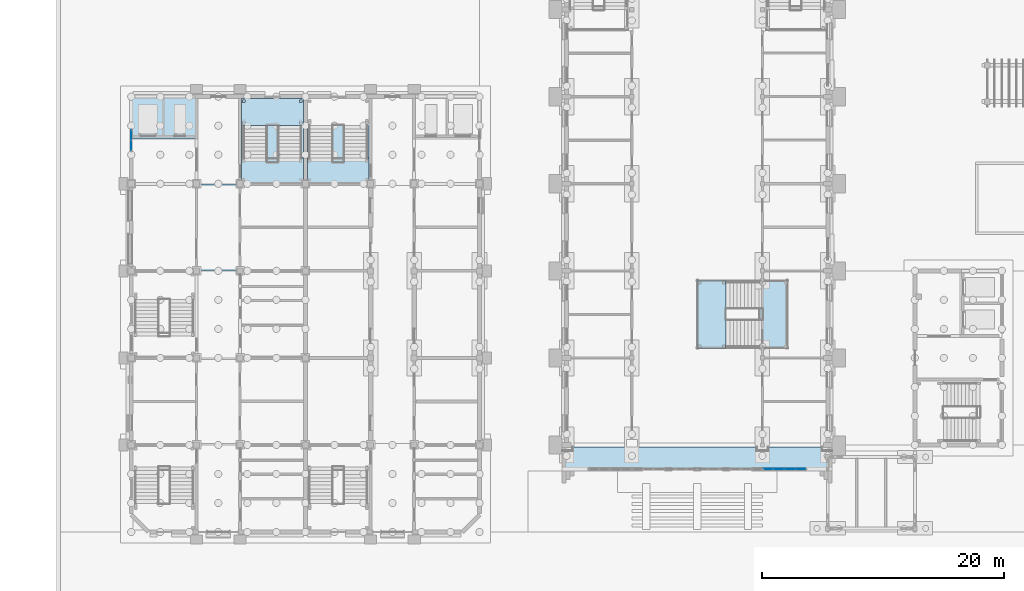
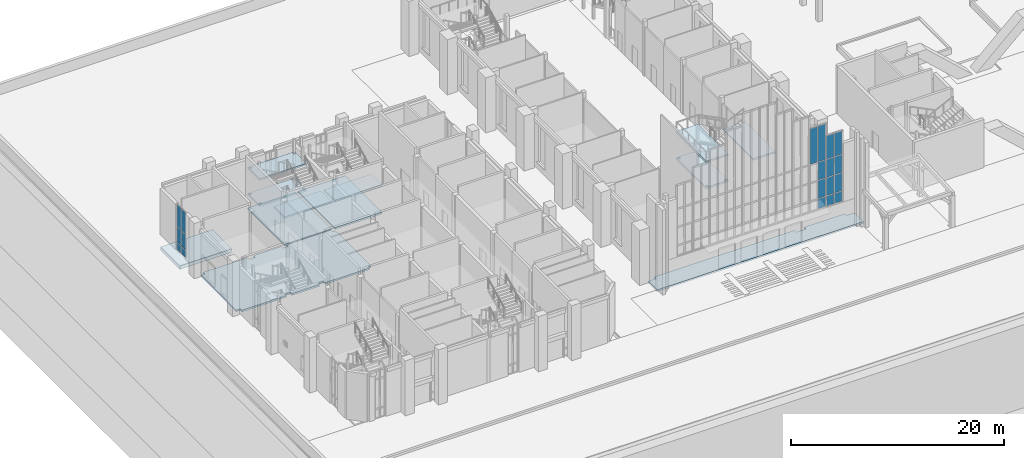
# One storey, part 23 of 84: 19 plates, 12 slabs, 6 elements without a shape of their own.
"""IFC4 building model written with IfcOpenShell, lengths in metres."""

from ifc_helpers import new_model, si_unit, direction, frame, origin, origin_2d, place, context, subcontext, project, spatial, polyline, rectangle, outline, extrude, material, layer, layer_set, type_object, element, aggregate, save


model = new_model("IFC4")

# Units and contexts
model_context = context("Model", 3, precision=1e-05, world=origin(), true_north=direction((0.0, 1.0)))
body_context = subcontext(model_context, "Body", "Model", "MODEL_VIEW")
ifc_project = project(units=[si_unit("LENGTHUNIT", "METRE"), si_unit("AREAUNIT", "SQUARE_METRE"), si_unit("VOLUMEUNIT", "CUBIC_METRE"), si_unit("PLANEANGLEUNIT", "RADIAN"), si_unit("MASSUNIT", "GRAM", prefix="KILO")], contexts=[model_context])

# Site, building, storey
site_placement = place(None, origin())
site = spatial("IfcSite", under=ifc_project, at=site_placement, CompositionType="ELEMENT")
building_placement = place(site_placement, origin())
building = spatial("IfcBuilding", under=site, at=building_placement, Name="Mazhai Court Health Centre", CompositionType="ELEMENT")
storey_placement = place(building_placement, origin())
storey = spatial("IfcBuildingStorey", under=building, at=storey_placement, Name="L00", CompositionType="ELEMENT", Elevation=0.0)

# Curtain wall, plates
ifc_material_1 = material(Name="Teak timber frame, glazed", Category="wood")
ifc_layer_1 = layer(ifc_material_1, 0.10009765625)
ifc_layer_set_1 = layer_set([ifc_layer_1], Name="CURTAIN WALL TIMBER 900")
curtain_wall_type = type_object("IfcCurtainWallType", Name="CURTAIN WALL TIMBER 900", PredefinedType="NOTDEFINED", material=ifc_layer_set_1)
curtain_wall_1_placement = place(storey_placement, origin())
curtain_wall_1 = element("IfcCurtainWall", 1, at=curtain_wall_1_placement, inside=storey, type_object=curtain_wall_type, Name="CW-V2-L00-A4", PredefinedType="NOTDEFINED")
ifc_material_2 = material(Name="Glass IGU 28 mm", Category="glass")
ifc_layer_2 = layer(ifc_material_2, 0.028076171875)
ifc_layer_set_2 = layer_set([ifc_layer_2], Name="CW PANEL IGU 28")
plate_type_1 = type_object("IfcPlateType", Name="CW PANEL IGU 28", PredefinedType="CURTAIN_PANEL", material=ifc_layer_set_2)
plate_1_placement = place(storey_placement, frame((6.199951171875, 38.1650390625, 0.06005859375), z_axis=(0.0, 0.0, 1.0), x_axis=(0.0, 1.0, 0.0)))
plate_1 = element("IfcPlate", 2, at=plate_1_placement, type_object=plate_type_1, Name="CW panel 1.1", PredefinedType="CURTAIN_PANEL", context=body_context, shape_type="SweptSolid", body=[
    extrude(rectangle(XDim=0.81005859375, YDim=0.028076171875, at=origin_2d()), origin(), (0.0, 0.0, 1.0), 0.81005859375),
])
plate_2_placement = place(storey_placement, frame((6.199951171875, 38.1650390625, 0.93017578125), z_axis=(0.0, 0.0, 1.0), x_axis=(0.0, 1.0, 0.0)))
plate_2 = element("IfcPlate", 3, at=plate_2_placement, type_object=plate_type_1, Name="CW panel 1.2", PredefinedType="CURTAIN_PANEL", context=body_context, shape_type="SweptSolid", body=[
    extrude(rectangle(XDim=0.81005859375, YDim=0.028076171875, at=origin_2d()), origin(), (0.0, 0.0, 1.0), 1.739990234375),
])
plate_3_placement = place(storey_placement, frame((6.199951171875, 38.1650390625, 2.72998046875), z_axis=(0.0, 0.0, 1.0), x_axis=(0.0, 1.0, 0.0)))
plate_3 = element("IfcPlate", 4, at=plate_3_placement, type_object=plate_type_1, Name="CW panel 1.3", PredefinedType="CURTAIN_PANEL", context=body_context, shape_type="SweptSolid", body=[
    extrude(rectangle(XDim=0.81005859375, YDim=0.028076171875, at=origin_2d()), origin(), (0.0, 0.0, 1.0), 2.4599609375),
])
plate_4_placement = place(storey_placement, frame((6.199951171875, 39.034912109375, 0.06005859375), z_axis=(0.0, 0.0, 1.0), x_axis=(0.0, 1.0, 0.0)))
plate_4 = element("IfcPlate", 5, at=plate_4_placement, type_object=plate_type_1, Name="CW panel 2.1", PredefinedType="CURTAIN_PANEL", context=body_context, shape_type="SweptSolid", body=[
    extrude(rectangle(XDim=0.81005859375, YDim=0.028076171875, at=origin_2d()), origin(), (0.0, 0.0, 1.0), 0.81005859375),
])
plate_5_placement = place(storey_placement, frame((6.199951171875, 39.034912109375, 0.93017578125), z_axis=(0.0, 0.0, 1.0), x_axis=(0.0, 1.0, 0.0)))
plate_5 = element("IfcPlate", 6, at=plate_5_placement, type_object=plate_type_1, Name="CW panel 2.2", PredefinedType="CURTAIN_PANEL", context=body_context, shape_type="SweptSolid", body=[
    extrude(rectangle(XDim=0.81005859375, YDim=0.028076171875, at=origin_2d()), origin(), (0.0, 0.0, 1.0), 1.739990234375),
])
plate_6_placement = place(storey_placement, frame((6.199951171875, 39.034912109375, 2.72998046875), z_axis=(0.0, 0.0, 1.0), x_axis=(0.0, 1.0, 0.0)))
plate_6 = element("IfcPlate", 7, at=plate_6_placement, type_object=plate_type_1, Name="CW panel 2.3", PredefinedType="CURTAIN_PANEL", context=body_context, shape_type="SweptSolid", body=[
    extrude(rectangle(XDim=0.81005859375, YDim=0.028076171875, at=origin_2d()), origin(), (0.0, 0.0, 1.0), 2.4599609375),
])
aggregate(curtain_wall_1, [plate_1, plate_2, plate_3, plate_4, plate_5, plate_6])

curtain_wall_2_placement = place(storey_placement, origin())
curtain_wall_2 = element("IfcCurtainWall", 8, at=curtain_wall_2_placement, inside=storey, type_object=curtain_wall_type, Name="CW-V1-S09", PredefinedType="NOTDEFINED")
plate_7_placement = place(storey_placement, frame((59.735107421875, 11.39990234375, 4.22998046875), z_axis=(0.0, 0.0, 1.0), x_axis=(-1.0, 0.0, 0.0)))
plate_7 = element("IfcPlate", 9, at=plate_7_placement, type_object=plate_type_1, Name="CW panel 1.2", PredefinedType="CURTAIN_PANEL", context=body_context, shape_type="SweptSolid", body=[
    extrude(rectangle(XDim=0.81005859375, YDim=0.028076171875, at=origin_2d()), origin(), (0.0, 0.0, 1.0), 2.0400390625),
])
plate_8_placement = place(storey_placement, frame((59.735107421875, 11.39990234375, 6.330078125), z_axis=(0.0, 0.0, 1.0), x_axis=(-1.0, 0.0, 0.0)))
plate_8 = element("IfcPlate", 10, at=plate_8_placement, type_object=plate_type_1, Name="CW panel 1.3", PredefinedType="CURTAIN_PANEL", context=body_context, shape_type="SweptSolid", body=[
    extrude(rectangle(XDim=0.81005859375, YDim=0.028076171875, at=origin_2d()), origin(), (0.0, 0.0, 1.0), 2.0400390625),
])
plate_9_placement = place(storey_placement, frame((59.735107421875, 11.39990234375, 8.43017578125), z_axis=(0.0, 0.0, 1.0), x_axis=(-1.0, 0.0, 0.0)))
plate_9 = element("IfcPlate", 11, at=plate_9_placement, type_object=plate_type_1, Name="CW panel 1.4", PredefinedType="CURTAIN_PANEL", context=body_context, shape_type="SweptSolid", body=[
    extrude(rectangle(XDim=0.81005859375, YDim=0.028076171875, at=origin_2d()), origin(), (0.0, 0.0, 1.0), 4.076904296875),
])
plate_10_placement = place(storey_placement, frame((58.864990234375, 11.39990234375, 8.43017578125), z_axis=(0.0, 0.0, 1.0), x_axis=(-1.0, 0.0, 0.0)))
plate_10 = element("IfcPlate", 12, at=plate_10_placement, type_object=plate_type_1, Name="CW panel 2.4", PredefinedType="CURTAIN_PANEL", context=body_context, shape_type="SweptSolid", body=[
    extrude(rectangle(XDim=0.81005859375, YDim=0.028076171875, at=origin_2d()), origin(), (0.0, 0.0, 1.0), 4.076904296875),
])

curtain_wall_3_placement = place(storey_placement, origin())
curtain_wall_3 = element("IfcCurtainWall", 13, at=curtain_wall_3_placement, inside=storey, type_object=curtain_wall_type, Name="CW-V1-S10", PredefinedType="NOTDEFINED")
plate_11_placement = place(storey_placement, frame((61.534912109375, 11.39990234375, 4.22998046875), z_axis=(0.0, 0.0, 1.0), x_axis=(-1.0, 0.0, 0.0)))
plate_11 = element("IfcPlate", 14, at=plate_11_placement, type_object=plate_type_1, Name="CW panel 1.2", PredefinedType="CURTAIN_PANEL", context=body_context, shape_type="SweptSolid", body=[
    extrude(rectangle(XDim=0.81005859375, YDim=0.028076171875, at=origin_2d()), origin(), (0.0, 0.0, 1.0), 2.0400390625),
])
plate_12_placement = place(storey_placement, frame((61.534912109375, 11.39990234375, 6.330078125), z_axis=(0.0, 0.0, 1.0), x_axis=(-1.0, 0.0, 0.0)))
plate_12 = element("IfcPlate", 15, at=plate_12_placement, type_object=plate_type_1, Name="CW panel 1.3", PredefinedType="CURTAIN_PANEL", context=body_context, shape_type="SweptSolid", body=[
    extrude(rectangle(XDim=0.81005859375, YDim=0.028076171875, at=origin_2d()), origin(), (0.0, 0.0, 1.0), 2.0400390625),
])
plate_13_placement = place(storey_placement, frame((61.534912109375, 11.39990234375, 8.429931640625), z_axis=(0.0, 0.0, 1.0), x_axis=(-1.0, 0.0, 0.0)))
plate_13 = element("IfcPlate", 16, at=plate_13_placement, type_object=plate_type_1, Name="CW panel 1.4", PredefinedType="CURTAIN_PANEL", context=body_context, shape_type="SweptSolid", body=[
    extrude(rectangle(XDim=0.81005859375, YDim=0.028076171875, at=origin_2d()), origin(), (0.0, 0.0, 1.0), 2.64306640625),
])
plate_14_placement = place(storey_placement, frame((60.6650390625, 11.39990234375, 4.22998046875), z_axis=(0.0, 0.0, 1.0), x_axis=(-1.0, 0.0, 0.0)))
plate_14 = element("IfcPlate", 17, at=plate_14_placement, type_object=plate_type_1, Name="CW panel 2.2", PredefinedType="CURTAIN_PANEL", context=body_context, shape_type="SweptSolid", body=[
    extrude(rectangle(XDim=0.81005859375, YDim=0.028076171875, at=origin_2d()), origin(), (0.0, 0.0, 1.0), 2.0400390625),
])
plate_15_placement = place(storey_placement, frame((60.6650390625, 11.39990234375, 6.330078125), z_axis=(0.0, 0.0, 1.0), x_axis=(-1.0, 0.0, 0.0)))
plate_15 = element("IfcPlate", 18, at=plate_15_placement, type_object=plate_type_1, Name="CW panel 2.3", PredefinedType="CURTAIN_PANEL", context=body_context, shape_type="SweptSolid", body=[
    extrude(rectangle(XDim=0.81005859375, YDim=0.028076171875, at=origin_2d()), origin(), (0.0, 0.0, 1.0), 2.0400390625),
])
plate_16_placement = place(storey_placement, frame((60.6650390625, 11.39990234375, 8.429931640625), z_axis=(0.0, 0.0, 1.0), x_axis=(-1.0, 0.0, 0.0)))
plate_16 = element("IfcPlate", 19, at=plate_16_placement, type_object=plate_type_1, Name="CW panel 2.4", PredefinedType="CURTAIN_PANEL", context=body_context, shape_type="SweptSolid", body=[
    extrude(rectangle(XDim=0.81005859375, YDim=0.028076171875, at=origin_2d()), origin(), (0.0, 0.0, 1.0), 2.64306640625),
])

# Plate
ifc_material_3 = material(Name="Insulated spandrel panel", Category="other")
ifc_layer_3 = layer(ifc_material_3, 0.028076171875)
ifc_layer_set_3 = layer_set([ifc_layer_3], Name="CW PANEL SPANDREL 28")
plate_type_2 = type_object("IfcPlateType", Name="CW PANEL SPANDREL 28", PredefinedType="CURTAIN_PANEL", material=ifc_layer_set_3)
plate_17_placement = place(storey_placement, frame((59.735107421875, 11.39990234375, 3.06005859375), z_axis=(0.0, 0.0, 1.0), x_axis=(-1.0, 0.0, 0.0)))
plate_17 = element("IfcPlate", 20, at=plate_17_placement, type_object=plate_type_2, Name="CW panel 1.1", PredefinedType="CURTAIN_PANEL", context=body_context, shape_type="SweptSolid", body=[
    extrude(rectangle(XDim=0.81005859375, YDim=0.028076171875, at=origin_2d()), origin(), (0.0, 0.0, 1.0), 1.110107421875),
])

aggregate(curtain_wall_2, [plate_17, plate_7, plate_8, plate_9, plate_10])

plate_18_placement = place(storey_placement, frame((61.534912109375, 11.39990234375, 3.06005859375), z_axis=(0.0, 0.0, 1.0), x_axis=(-1.0, 0.0, 0.0)))
plate_18 = element("IfcPlate", 21, at=plate_18_placement, type_object=plate_type_2, Name="CW panel 1.1", PredefinedType="CURTAIN_PANEL", context=body_context, shape_type="SweptSolid", body=[
    extrude(rectangle(XDim=0.81005859375, YDim=0.028076171875, at=origin_2d()), origin(), (0.0, 0.0, 1.0), 1.110107421875),
])

plate_19_placement = place(storey_placement, frame((60.6650390625, 11.39990234375, 3.06005859375), z_axis=(0.0, 0.0, 1.0), x_axis=(-1.0, 0.0, 0.0)))
plate_19 = element("IfcPlate", 22, at=plate_19_placement, type_object=plate_type_2, Name="CW panel 2.1", PredefinedType="CURTAIN_PANEL", context=body_context, shape_type="SweptSolid", body=[
    extrude(rectangle(XDim=0.81005859375, YDim=0.028076171875, at=origin_2d()), origin(), (0.0, 0.0, 1.0), 1.110107421875),
])

aggregate(curtain_wall_3, [plate_18, plate_11, plate_12, plate_13, plate_19, plate_14, plate_15, plate_16])

# Slabs
ifc_material_4 = material(Name="Concrete M35", Category="concrete")
ifc_layer_4 = layer(ifc_material_4, 0.199951171875)
ifc_layer_set_4 = layer_set([ifc_layer_4], Name="GROUND SLAB 200 M35")
slab_type_1 = type_object("IfcSlabType", Name="GROUND SLAB 200 M35", PredefinedType="BASESLAB", material=ifc_layer_set_4)
slab_1_placement = place(storey_placement, frame((0.0, 0.0, -0.199951171875)))
element("IfcSlab", 23, at=slab_1_placement, inside=storey, type_object=slab_type_1, Name="slab-ground-V2-2", PredefinedType="BASESLAB", context=body_context, shape_type="SweptSolid", body=[
    extrude(outline(polyline([(20.60009765625, 28.10009765625), (20.300048828125, 28.10009765625), (20.300048828125, 27.800048828125), (15.5, 27.800048828125), (15.5, 28.10009765625), (14.89990234375, 28.10009765625), (14.89990234375, 27.800048828125), (11.89990234375, 27.800048828125), (11.89990234375, 28.10009765625), (11.300048828125, 28.10009765625), (11.300048828125, 27.800048828125), (6.5, 27.800048828125), (6.5, 28.10009765625), (6.034912109375, 28.10009765625), (6.034912109375, 34.699951171875), (6.5, 34.699951171875), (6.5, 35.0), (11.300048828125, 35.0), (11.300048828125, 34.699951171875), (11.89990234375, 34.699951171875), (11.89990234375, 35.0), (14.89990234375, 35.0), (14.89990234375, 34.699951171875), (15.5, 34.699951171875), (15.5, 35.0), (20.300048828125, 35.0), (20.300048828125, 34.699951171875), (20.60009765625, 34.699951171875), (20.60009765625, 28.10009765625)])), origin(), (0.0, 0.0, 1.0), 0.199951171875),
])
slab_2_placement = place(storey_placement, frame((0.0, 0.0, -0.199951171875)))
element("IfcSlab", 24, at=slab_2_placement, inside=storey, type_object=slab_type_1, Name="slab-ground-V1P-1", PredefinedType="BASESLAB", context=body_context, shape_type="SweptSolid", body=[
    extrude(outline(polyline([(41.840087890625, 11.235107421875), (41.840087890625, 12.89990234375), (42.699951171875, 12.89990234375), (42.699951171875, 13.235107421875), (57.89990234375, 13.235107421875), (57.89990234375, 12.89990234375), (58.89990234375, 12.89990234375), (58.89990234375, 13.235107421875), (63.300048828125, 13.235107421875), (63.300048828125, 12.89990234375), (64.159912109375, 12.89990234375), (64.159912109375, 11.235107421875), (41.840087890625, 11.235107421875)])), origin(), (0.0, 0.0, 1.0), 0.199951171875),
])
ifc_material_5 = material(Name="Concrete M40", Category="concrete")
ifc_layer_5 = layer(ifc_material_5, 0.39990234375)
ifc_layer_set_5 = layer_set([ifc_layer_5], Name="RC LIFT PIT SLAB 400 M40")
slab_type_2 = type_object("IfcSlabType", Name="RC LIFT PIT SLAB 400 M40", PredefinedType="BASESLAB", material=ifc_layer_set_5)
slab_3_placement = place(storey_placement, frame((0.0, 0.0, -1.800048828125)))
element("IfcSlab", 25, at=slab_3_placement, inside=storey, type_object=slab_type_2, Name="core-C3-pit-slab", PredefinedType="BASESLAB", context=body_context, shape_type="SweptSolid", body=[
    extrude(outline(polyline([(6.074951171875, 38.7099609375), (6.074951171875, 42.324951171875), (11.72509765625, 42.324951171875), (11.72509765625, 38.7099609375), (6.074951171875, 38.7099609375)])), origin(), (0.0, 0.0, 1.0), 0.400146484375),
])
ifc_material_6 = material(Name="Concrete M40", Category="concrete")
ifc_layer_6 = layer(ifc_material_6, 0.199951171875)
ifc_layer_set_6 = layer_set([ifc_layer_6], Name="RC STAIR GROUND SLAB 200 M40")
slab_type_3 = type_object("IfcSlabType", Name="RC STAIR GROUND SLAB 200 M40", PredefinedType="BASESLAB", material=ifc_layer_set_6)
slab_4_placement = place(storey_placement, frame((0.0, 0.0, -0.199951171875)))
element("IfcSlab", 26, at=slab_4_placement, inside=storey, type_object=slab_type_3, Name="core-C3-stair-ground-slab", PredefinedType="BASESLAB", context=body_context, shape_type="SweptSolid", body=[
    extrude(outline(polyline([(15.324951171875, 35.125), (20.43505859375, 35.125), (20.43505859375, 42.034912109375), (15.324951171875, 42.034912109375), (15.324951171875, 35.125)])), origin(), (0.0, 0.0, 1.0), 0.199951171875),
])
slab_5_placement = place(storey_placement, frame((0.0, 0.0, -0.199951171875)))
element("IfcSlab", 27, at=slab_5_placement, inside=storey, type_object=slab_type_3, Name="core-C5-stair-ground-slab", PredefinedType="BASESLAB", context=body_context, shape_type="SweptSolid", body=[
    extrude(outline(polyline([(20.764892578125, 35.125), (25.875, 35.125), (25.875, 42.034912109375), (20.764892578125, 42.034912109375), (20.764892578125, 35.125)])), origin(), (0.0, 0.0, 1.0), 0.199951171875),
])

# Stair, slabs
ifc_material_7 = material(Name="Concrete M40", Category="concrete")
stair_type_1 = type_object("IfcStairType", Name="RC STAIR 2000 42R", PredefinedType="DOUBLE_RETURN_STAIR", material=ifc_material_7)
stair_1_placement = place(storey_placement, origin())
stair_1 = element("IfcStair", 28, at=stair_1_placement, inside=storey, type_object=stair_type_1, Name="L00 Stair 3", PredefinedType="DOUBLE_RETURN_STAIR")
ifc_material_8 = material(Name="Concrete M40", Category="concrete")
ifc_layer_7 = layer(ifc_material_8, 0.199951171875)
ifc_layer_set_7 = layer_set([ifc_layer_7], Name="RC STAIR LANDING 200 M40")
slab_type_4 = type_object("IfcSlabType", Name="RC STAIR LANDING 200 M40", PredefinedType="LANDING", material=ifc_layer_set_7)
slab_6_placement = place(storey_placement, frame((0.0, 0.0, 1.449951171875)))
slab_6 = element("IfcSlab", 29, at=slab_6_placement, type_object=slab_type_4, Name="ST3 landing 1", PredefinedType="LANDING", context=body_context, shape_type="SweptSolid", body=[
    extrude(outline(polyline([(20.43505859375, 39.824951171875), (20.43505859375, 42.034912109375), (15.324951171875, 42.034912109375), (15.324951171875, 39.824951171875), (20.43505859375, 39.824951171875)]), holes=[polyline([(15.4150390625, 39.925048828125), (15.625, 39.925048828125), (15.625, 40.135009765625), (15.4150390625, 40.135009765625), (15.4150390625, 39.925048828125)]), polyline([(15.4150390625, 41.72509765625), (15.625, 41.72509765625), (15.625, 41.93505859375), (15.4150390625, 41.93505859375), (15.4150390625, 41.72509765625)]), polyline([(20.125, 39.925048828125), (20.3349609375, 39.925048828125), (20.3349609375, 40.135009765625), (20.125, 40.135009765625), (20.125, 39.925048828125)]), polyline([(20.125, 41.72509765625), (20.3349609375, 41.72509765625), (20.3349609375, 41.93505859375), (20.125, 41.93505859375), (20.125, 41.72509765625)])]), origin(), (0.0, 0.0, 1.0), 0.199951171875),
])
slab_7_placement = place(storey_placement, frame((0.0, 0.0, 2.949951171875)))
slab_7 = element("IfcSlab", 30, at=slab_7_placement, type_object=slab_type_4, Name="ST3 landing 2", PredefinedType="LANDING", context=body_context, shape_type="SweptSolid", body=[
    extrude(outline(polyline([(20.43505859375, 35.125), (20.43505859375, 37.125), (15.324951171875, 37.125), (15.324951171875, 35.125), (20.43505859375, 35.125)])), origin(), (0.0, 0.0, 1.0), 0.199951171875),
])
slab_8_placement = place(storey_placement, frame((0.0, 0.0, 4.449951171875)))
slab_8 = element("IfcSlab", 31, at=slab_8_placement, type_object=slab_type_4, Name="ST3 landing 3", PredefinedType="LANDING", context=body_context, shape_type="SweptSolid", body=[
    extrude(outline(polyline([(20.43505859375, 39.824951171875), (20.43505859375, 42.034912109375), (15.324951171875, 42.034912109375), (15.324951171875, 39.824951171875), (20.43505859375, 39.824951171875)]), holes=[polyline([(15.4150390625, 41.72509765625), (15.625, 41.72509765625), (15.625, 41.93505859375), (15.4150390625, 41.93505859375), (15.4150390625, 41.72509765625)]), polyline([(20.125, 41.72509765625), (20.3349609375, 41.72509765625), (20.3349609375, 41.93505859375), (20.125, 41.93505859375), (20.125, 41.72509765625)])]), origin(), (0.0, 0.0, 1.0), 0.199951171875),
])
aggregate(stair_1, [slab_6, slab_7, slab_8])

# Stair, slab
stair_2_placement = place(storey_placement, origin())
stair_2 = element("IfcStair", 32, at=stair_2_placement, inside=storey, type_object=stair_type_1, Name="L00 Stair 5", PredefinedType="DOUBLE_RETURN_STAIR")
slab_9_placement = place(storey_placement, frame((0.0, 0.0, 2.949951171875)))
slab_9 = element("IfcSlab", 33, at=slab_9_placement, type_object=slab_type_4, Name="ST5 landing 2", PredefinedType="LANDING", context=body_context, shape_type="SweptSolid", body=[
    extrude(outline(polyline([(25.875, 35.125), (25.875, 37.125), (20.764892578125, 37.125), (20.764892578125, 35.125), (25.875, 35.125)])), origin(), (0.0, 0.0, 1.0), 0.199951171875),
])
aggregate(stair_2, [slab_9])

# Stair, slabs
ifc_material_9 = material(Name="Concrete M40", Category="concrete")
stair_type_2 = type_object("IfcStairType", Name="RC STAIR 2400 42R", PredefinedType="DOUBLE_RETURN_STAIR", material=ifc_material_9)
stair_3_placement = place(storey_placement, origin())
stair_3 = element("IfcStair", 34, at=stair_3_placement, inside=storey, type_object=stair_type_2, Name="L00 Stair 13", PredefinedType="DOUBLE_RETURN_STAIR")
slab_10_placement = place(storey_placement, frame((0.0, 0.0, 1.449951171875)))
slab_10 = element("IfcSlab", 35, at=slab_10_placement, type_object=slab_type_4, Name="ST13 landing 1", PredefinedType="LANDING", context=body_context, shape_type="SweptSolid", body=[
    extrude(outline(polyline([(55.39990234375, 27.02490234375), (53.0, 27.02490234375), (53.0, 21.375), (55.39990234375, 21.375), (55.39990234375, 27.02490234375)]), holes=[polyline([(53.094970703125, 21.465087890625), (53.304931640625, 21.465087890625), (53.304931640625, 21.675048828125), (53.094970703125, 21.675048828125), (53.094970703125, 21.465087890625)]), polyline([(53.094970703125, 26.715087890625), (53.304931640625, 26.715087890625), (53.304931640625, 26.925048828125), (53.094970703125, 26.925048828125), (53.094970703125, 26.715087890625)]), polyline([(55.094970703125, 21.465087890625), (55.304931640625, 21.465087890625), (55.304931640625, 21.675048828125), (55.094970703125, 21.675048828125), (55.094970703125, 21.465087890625)]), polyline([(55.094970703125, 26.715087890625), (55.304931640625, 26.715087890625), (55.304931640625, 26.925048828125), (55.094970703125, 26.925048828125), (55.094970703125, 26.715087890625)])]), origin(), (0.0, 0.0, 1.0), 0.199951171875),
])
slab_11_placement = place(storey_placement, frame((0.0, 0.0, 2.949951171875)))
slab_11 = element("IfcSlab", 36, at=slab_11_placement, type_object=slab_type_4, Name="ST13 landing 2", PredefinedType="LANDING", context=body_context, shape_type="SweptSolid", body=[
    extrude(outline(polyline([(60.5, 27.02490234375), (58.10009765625, 27.02490234375), (58.10009765625, 21.375), (60.5, 21.375), (60.5, 27.02490234375)])), origin(), (0.0, 0.0, 1.0), 0.199951171875),
])
slab_12_placement = place(storey_placement, frame((0.0, 0.0, 4.449951171875)))
slab_12 = element("IfcSlab", 37, at=slab_12_placement, type_object=slab_type_4, Name="ST13 landing 3", PredefinedType="LANDING", context=body_context, shape_type="SweptSolid", body=[
    extrude(outline(polyline([(55.39990234375, 27.02490234375), (53.0, 27.02490234375), (53.0, 21.375), (55.39990234375, 21.375), (55.39990234375, 27.02490234375)])), origin(), (0.0, 0.0, 1.0), 0.199951171875),
])
aggregate(stair_3, [slab_10, slab_11, slab_12])

save(model, "model.ifc")
